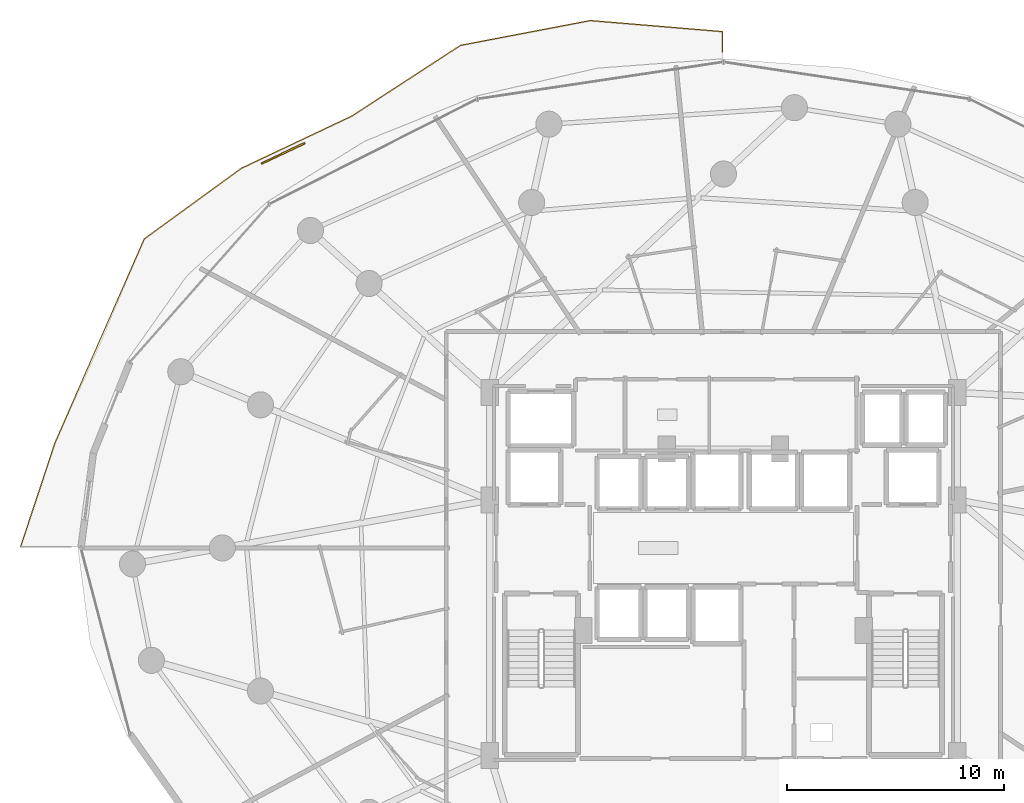
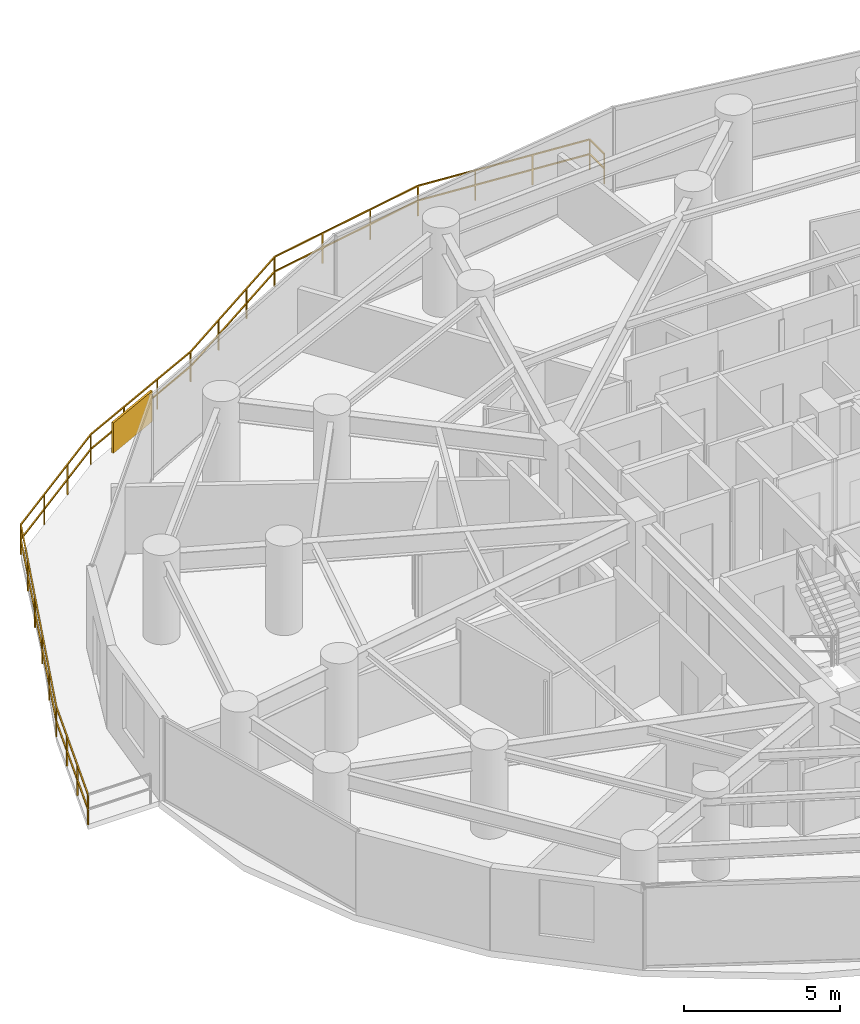
# One storey, part 33 of 34: 1 railing, 1 shading device.
"""IFC4 building model written with IfcOpenShell, lengths in metres."""

from ifc_helpers import new_model, si_unit, direction, frame, origin, origin_2d, place, context, subcontext, project, spatial, rectangle, extrude, material, type_object, element, save


model = new_model("IFC4")

# Units and contexts
model_context = context("Model", 3, precision=1e-05, world=origin(), true_north=direction((0.0, 1.0)))
body_context = subcontext(model_context, "Body", "Model", "MODEL_VIEW")
ifc_project = project(units=[si_unit("LENGTHUNIT", "METRE"), si_unit("AREAUNIT", "SQUARE_METRE"), si_unit("VOLUMEUNIT", "CUBIC_METRE"), si_unit("PLANEANGLEUNIT", "RADIAN"), si_unit("MASSUNIT", "GRAM", prefix="KILO")], contexts=[model_context])

# Site, building, storey
site_placement = place(None, origin())
site = spatial("IfcSite", under=ifc_project, at=site_placement, CompositionType="ELEMENT")
building_placement = place(site_placement, origin())
building = spatial("IfcBuilding", under=site, at=building_placement, Name="Vorneva Point Tower", CompositionType="ELEMENT")
storey_placement = place(building_placement, frame((0.0, 0.0, 62.5)))
storey = spatial("IfcBuildingStorey", under=building, at=storey_placement, Name="L16", CompositionType="ELEMENT", Elevation=62.5)

# Railing
ifc_material = material(Name="Pale anodised aluminium", Category="aluminium")
railing_type = type_object("IfcRailingType", Name="RL-BAL-1200", PredefinedType="BALUSTRADE", material=ifc_material)
railing_placement = place(storey_placement, frame((37.949951171875, 48.817138671875, 0.0)))
element("IfcRailing", 1, at=railing_placement, inside=storey, type_object=railing_type, Name="L16 Wave Balcony Balustrade NW.2", PredefinedType="BALUSTRADE", context=body_context, shape_type="SweptSolid", body=[
    extrude(rectangle(XDim=0.048095703125, YDim=0.048095703125, at=origin_2d()), frame((0.0, 0.0, 1.17578125), z_axis=(0.0, 1.0, 0.0), x_axis=(-1.0, 0.0, 0.0)), (0.0, 0.0, 1.0), 0.93701171875),
    extrude(rectangle(XDim=0.048095703125, YDim=0.048095703125, at=origin_2d()), frame((0.0, 0.0, 0.60009765625), z_axis=(0.0, 1.0, 0.0), x_axis=(-1.0, 0.0, 0.0)), (0.0, 0.0, 1.0), 0.93701171875),
    extrude(rectangle(XDim=0.048095703125, YDim=0.048095703125, at=origin_2d()), frame((0.0, 0.93701171875, 1.17578125), z_axis=(-0.996540784652, 0.083105141393, 0.0), x_axis=(-0.083105141393, -0.996540784652, 0.0)), (0.0, 0.0, 1.0), 6.095703125),
    extrude(rectangle(XDim=0.048095703125, YDim=0.048095703125, at=origin_2d()), frame((0.0, 0.93701171875, 0.60009765625), z_axis=(-0.996540784652, 0.083105141393, 0.0), x_axis=(-0.083105141393, -0.996540784652, 0.0)), (0.0, 0.0, 1.0), 6.095703125),
    extrude(rectangle(XDim=0.048095703125, YDim=0.048095703125, at=origin_2d()), frame((-6.07470703125, 1.443603515625, 1.17578125), z_axis=(-0.982249899768, -0.187577009267, 0.0), x_axis=(0.187577009267, -0.982249899768, 0.0)), (0.0, 0.0, 1.0), 6.080810546875),
    extrude(rectangle(XDim=0.048095703125, YDim=0.048095703125, at=origin_2d()), frame((-6.07470703125, 1.443603515625, 0.60009765625), z_axis=(-0.982249899768, -0.187577009267, 0.0), x_axis=(0.187577009267, -0.982249899768, 0.0)), (0.0, 0.0, 1.0), 6.080810546875),
    extrude(rectangle(XDim=0.048095703125, YDim=0.048095703125, at=origin_2d()), frame((-12.047607421875, 0.302978515625, 1.17578125), z_axis=(-0.83807349006, -0.545557352859, 0.0), x_axis=(0.545557352859, -0.83807349006, 0.0)), (0.0, 0.0, 1.0), 5.955810546875),
    extrude(rectangle(XDim=0.048095703125, YDim=0.048095703125, at=origin_2d()), frame((-12.047607421875, 0.302978515625, 0.60009765625), z_axis=(-0.83807349006, -0.545557352859, 0.0), x_axis=(0.545557352859, -0.83807349006, 0.0)), (0.0, 0.0, 1.0), 5.955810546875),
    extrude(rectangle(XDim=0.048095703125, YDim=0.048095703125, at=origin_2d()), frame((-17.0390625, -2.9462890625, 1.17578125), z_axis=(-0.904021080229, -0.427487878778, 0.0), x_axis=(0.427487878778, -0.904021080229, 0.0)), (0.0, 0.0, 1.0), 5.6298828125),
    extrude(rectangle(XDim=0.048095703125, YDim=0.048095703125, at=origin_2d()), frame((-17.0390625, -2.9462890625, 0.60009765625), z_axis=(-0.904021080229, -0.427487878778, 0.0), x_axis=(0.427487878778, -0.904021080229, 0.0)), (0.0, 0.0, 1.0), 5.6298828125),
    extrude(rectangle(XDim=0.048095703125, YDim=0.048095703125, at=origin_2d()), frame((-22.128662109375, -5.35302734375, 1.17578125), z_axis=(-0.808736084303, -0.588171697675, 0.0), x_axis=(0.588171697675, -0.808736084303, 0.0)), (0.0, 0.0, 1.0), 5.51904296875),
    extrude(rectangle(XDim=0.048095703125, YDim=0.048095703125, at=origin_2d()), frame((-22.128662109375, -5.35302734375, 0.60009765625), z_axis=(-0.808736084303, -0.588171697675, 0.0), x_axis=(0.588171697675, -0.808736084303, 0.0)), (0.0, 0.0, 1.0), 5.51904296875),
    extrude(rectangle(XDim=0.048095703125, YDim=0.048095703125, at=origin_2d()), frame((-26.592041015625, -8.59912109375, 1.17578125), z_axis=(-0.40091368096, -0.916115833516, 0.0), x_axis=(0.916115833516, -0.40091368096, 0.0)), (0.0, 0.0, 1.0), 10.26220703125),
    extrude(rectangle(XDim=0.048095703125, YDim=0.048095703125, at=origin_2d()), frame((-26.592041015625, -8.59912109375, 0.60009765625), z_axis=(-0.40091368096, -0.916115833516, 0.0), x_axis=(0.916115833516, -0.40091368096, 0.0)), (0.0, 0.0, 1.0), 10.26220703125),
    extrude(rectangle(XDim=0.048095703125, YDim=0.048095703125, at=origin_2d()), frame((-30.706298828125, -18.00048828125, 1.17578125), z_axis=(-0.314126331711, -0.949381192001, 0.0), x_axis=(0.949381192001, -0.314126331711, 0.0)), (0.0, 0.0, 1.0), 5.020751953125),
    extrude(rectangle(XDim=0.048095703125, YDim=0.048095703125, at=origin_2d()), frame((-30.706298828125, -18.00048828125, 0.60009765625), z_axis=(-0.314126331711, -0.949381192001, 0.0), x_axis=(0.949381192001, -0.314126331711, 0.0)), (0.0, 0.0, 1.0), 5.020751953125),
    extrude(rectangle(XDim=0.0419921875, YDim=0.0419921875, at=origin_2d()), origin(), (0.0, 0.0, 1.0), 1.15185546875),
    extrude(rectangle(XDim=0.0419921875, YDim=0.0419921875, at=origin_2d()), frame((0.0, 0.93701171875, 0.0)), (0.0, 0.0, 1.0), 1.15185546875),
    extrude(rectangle(XDim=0.0419921875, YDim=0.0419921875, at=origin_2d()), frame((-2.02490234375, 1.10595703125, 0.0)), (0.0, 0.0, 1.0), 1.15185546875),
    extrude(rectangle(XDim=0.0419921875, YDim=0.0419921875, at=origin_2d()), frame((-4.0498046875, 1.274658203125, 0.0)), (0.0, 0.0, 1.0), 1.15185546875),
    extrude(rectangle(XDim=0.0419921875, YDim=0.0419921875, at=origin_2d()), frame((-6.07470703125, 1.443603515625, 0.0)), (0.0, 0.0, 1.0), 1.15185546875),
    extrude(rectangle(XDim=0.0419921875, YDim=0.0419921875, at=origin_2d()), frame((-8.065673828125, 1.0634765625, 0.0)), (0.0, 0.0, 1.0), 1.15185546875),
    extrude(rectangle(XDim=0.0419921875, YDim=0.0419921875, at=origin_2d()), frame((-10.056640625, 0.68310546875, 0.0)), (0.0, 0.0, 1.0), 1.15185546875),
    extrude(rectangle(XDim=0.0419921875, YDim=0.0419921875, at=origin_2d()), frame((-12.047607421875, 0.302978515625, 0.0)), (0.0, 0.0, 1.0), 1.15185546875),
    extrude(rectangle(XDim=0.0419921875, YDim=0.0419921875, at=origin_2d()), frame((-13.71142578125, -0.780029296875, 0.0)), (0.0, 0.0, 1.0), 1.15185546875),
    extrude(rectangle(XDim=0.0419921875, YDim=0.0419921875, at=origin_2d()), frame((-15.375244140625, -1.86328125, 0.0)), (0.0, 0.0, 1.0), 1.15185546875),
    extrude(rectangle(XDim=0.0419921875, YDim=0.0419921875, at=origin_2d()), frame((-17.0390625, -2.9462890625, 0.0)), (0.0, 0.0, 1.0), 1.15185546875),
    extrude(rectangle(XDim=0.0419921875, YDim=0.0419921875, at=origin_2d()), frame((-18.735595703125, -3.74853515625, 0.0)), (0.0, 0.0, 1.0), 1.15185546875),
    extrude(rectangle(XDim=0.0419921875, YDim=0.0419921875, at=origin_2d()), frame((-20.43212890625, -4.55078125, 0.0)), (0.0, 0.0, 1.0), 1.15185546875),
    extrude(rectangle(XDim=0.0419921875, YDim=0.0419921875, at=origin_2d()), frame((-22.128662109375, -5.35302734375, 0.0)), (0.0, 0.0, 1.0), 1.15185546875),
    extrude(rectangle(XDim=0.0419921875, YDim=0.0419921875, at=origin_2d()), frame((-23.616455078125, -6.43505859375, 0.0)), (0.0, 0.0, 1.0), 1.15185546875),
    extrude(rectangle(XDim=0.0419921875, YDim=0.0419921875, at=origin_2d()), frame((-25.104248046875, -7.51708984375, 0.0)), (0.0, 0.0, 1.0), 1.15185546875),
    extrude(rectangle(XDim=0.0419921875, YDim=0.0419921875, at=origin_2d()), frame((-26.592041015625, -8.59912109375, 0.0)), (0.0, 0.0, 1.0), 1.15185546875),
    extrude(rectangle(XDim=0.0419921875, YDim=0.0419921875, at=origin_2d()), frame((-27.414794921875, -10.4794921875, 0.0)), (0.0, 0.0, 1.0), 1.15185546875),
    extrude(rectangle(XDim=0.0419921875, YDim=0.0419921875, at=origin_2d()), frame((-28.23779296875, -12.359619140625, 0.0)), (0.0, 0.0, 1.0), 1.15185546875),
    extrude(rectangle(XDim=0.0419921875, YDim=0.0419921875, at=origin_2d()), frame((-29.060546875, -14.239990234375, 0.0)), (0.0, 0.0, 1.0), 1.15185546875),
    extrude(rectangle(XDim=0.0419921875, YDim=0.0419921875, at=origin_2d()), frame((-29.883544921875, -16.1201171875, 0.0)), (0.0, 0.0, 1.0), 1.15185546875),
    extrude(rectangle(XDim=0.0419921875, YDim=0.0419921875, at=origin_2d()), frame((-30.706298828125, -18.00048828125, 0.0)), (0.0, 0.0, 1.0), 1.15185546875),
    extrude(rectangle(XDim=0.0419921875, YDim=0.0419921875, at=origin_2d()), frame((-31.23193359375, -19.58935546875, 0.0)), (0.0, 0.0, 1.0), 1.15185546875),
    extrude(rectangle(XDim=0.0419921875, YDim=0.0419921875, at=origin_2d()), frame((-31.7578125, -21.17822265625, 0.0)), (0.0, 0.0, 1.0), 1.15185546875),
    extrude(rectangle(XDim=0.0419921875, YDim=0.0419921875, at=origin_2d()), frame((-32.283447265625, -22.76708984375, 0.0)), (0.0, 0.0, 1.0), 1.15185546875),
])

# Shading device
shading_device_type = type_object("IfcShadingDeviceType", Name="SHD-JAL-1200", PredefinedType="JALOUSIE", material=ifc_material)
shading_device_placement = place(storey_placement, frame((17.74658203125, 44.150146484375, -0.02001953125), z_axis=(0.0, 0.0, 1.0), x_axis=(-0.904022870434, -0.427484092959, 0.0)))
element("IfcShadingDevice", 2, at=shading_device_placement, inside=storey, type_object=shading_device_type, Name="L16 Balcony Vertical-Greenery Planter Screen NW.2", PredefinedType="JALOUSIE", context=body_context, shape_type="SweptSolid", body=[
    extrude(rectangle(XDim=2.199951171875, YDim=0.080078125, at=origin_2d()), origin(), (0.0, 0.0, 1.0), 1.199951171875),
])

save(model, "model.ifc")
